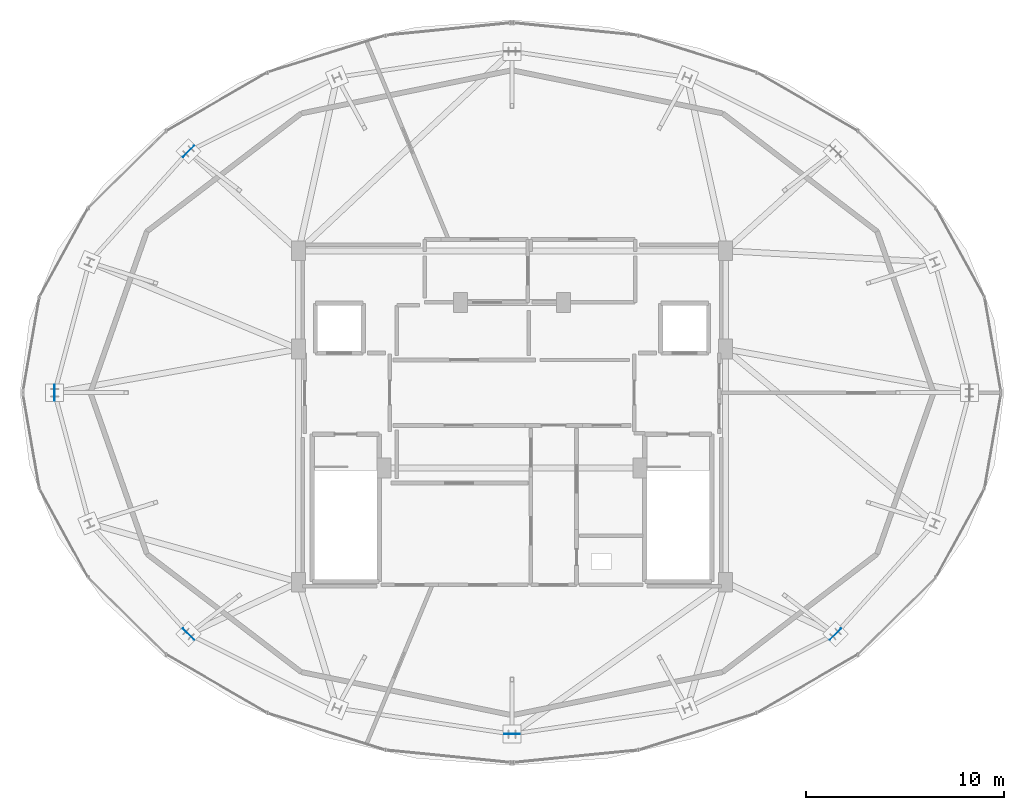
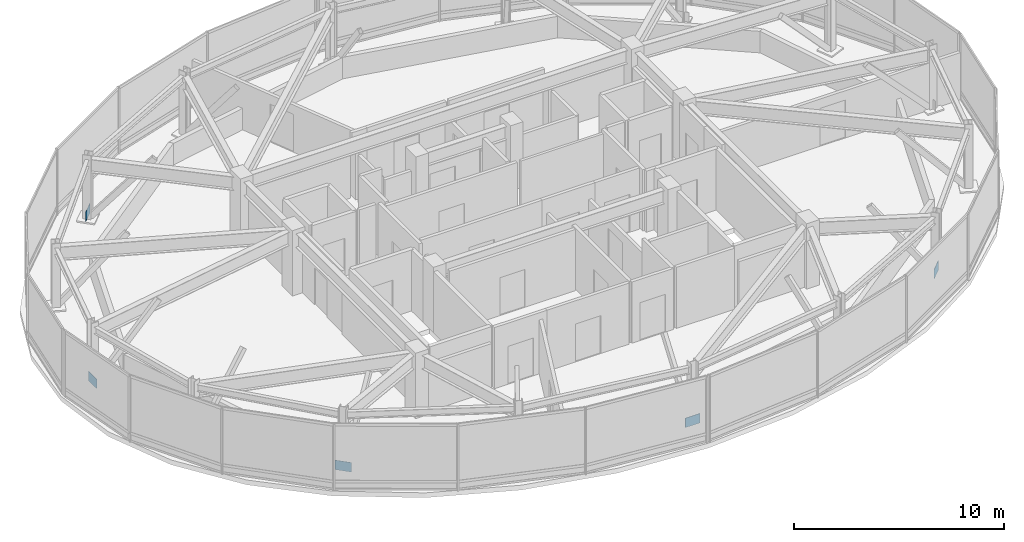
# One storey, part 23 of 28: 5 plates.
"""IFC4 building model written with IfcOpenShell, lengths in metres."""

from ifc_helpers import new_model, si_unit, direction, frame, origin, origin_2d, place, context, subcontext, project, spatial, rectangle, extrude, material, layer, layer_set, type_object, element, save


model = new_model("IFC4")

# Units and contexts
model_context = context("Model", 3, precision=1e-05, world=origin(), true_north=direction((0.0, 1.0)))
body_context = subcontext(model_context, "Body", "Model", "MODEL_VIEW")
ifc_project = project(units=[si_unit("LENGTHUNIT", "METRE"), si_unit("AREAUNIT", "SQUARE_METRE"), si_unit("VOLUMEUNIT", "CUBIC_METRE"), si_unit("PLANEANGLEUNIT", "RADIAN"), si_unit("MASSUNIT", "GRAM", prefix="KILO")], contexts=[model_context])

# Site, building, storey
site_placement = place(None, origin())
site = spatial("IfcSite", under=ifc_project, at=site_placement, CompositionType="ELEMENT")
building_placement = place(site_placement, origin())
building = spatial("IfcBuilding", under=site, at=building_placement, Name="Vorneva Point Tower", CompositionType="ELEMENT")
storey_placement = place(building_placement, frame((0.0, 0.0, 295.39990234375)))
storey = spatial("IfcBuildingStorey", under=building, at=storey_placement, Name="C01", CompositionType="ELEMENT", Elevation=295.39990234375)

# Plates
ifc_material = material(Name="Steel S355", Category="steel")
ifc_layer = layer(ifc_material, 0.02001953125)
ifc_layer_set = layer_set([ifc_layer], Name="Steel S355")
plate_type = type_object("IfcPlateType", Name="PLT-SHT-20", PredefinedType="SHEET", material=ifc_layer_set)
for number, where, z_axis, x_axis, name in (
    (1, (21.701171875, 38.162109375, 0.0751953125), (0.0, 0.0, 1.0), (-0.707106781187, -0.707106781187, 0.0), "Crown Rib Base Stiffener Sheet 07"),
    (2, (14.949951171875, 26.0, 0.0751953125), (0.0, 0.0, 1.0), (0.0, -1.0, 0.0), "Crown Rib Base Stiffener Sheet 09"),
    (3, (21.701171875, 13.837890625, 0.0751953125), (0.0, 0.0, 1.0), (0.707106781187, -0.707106781187, 0.0), "Crown Rib Base Stiffener Sheet 11"),
    (4, (38.0, 8.800048828125, 0.0751953125), (0.0, 0.0, 1.0), (1.0, 0.0, 0.0), "Crown Rib Base Stiffener Sheet 13"),
    (5, (54.298828125, 13.837890625, 0.0751953125), (0.0, 0.0, 1.0), (0.707106781187, 0.707106781187, 0.0), "Crown Rib Base Stiffener Sheet 15"),
):
    element("IfcPlate", number, at=place(storey_placement, frame(where, z_axis=z_axis, x_axis=x_axis)), inside=storey, type_object=plate_type, Name=name, PredefinedType="SHEET", context=body_context, shape_type="SweptSolid", body=[
        extrude(rectangle(XDim=0.800048828125, YDim=0.02001953125, at=origin_2d()), origin(), (0.0, 0.0, 1.0), 0.550048828125),
    ])

save(model, "model.ifc")
